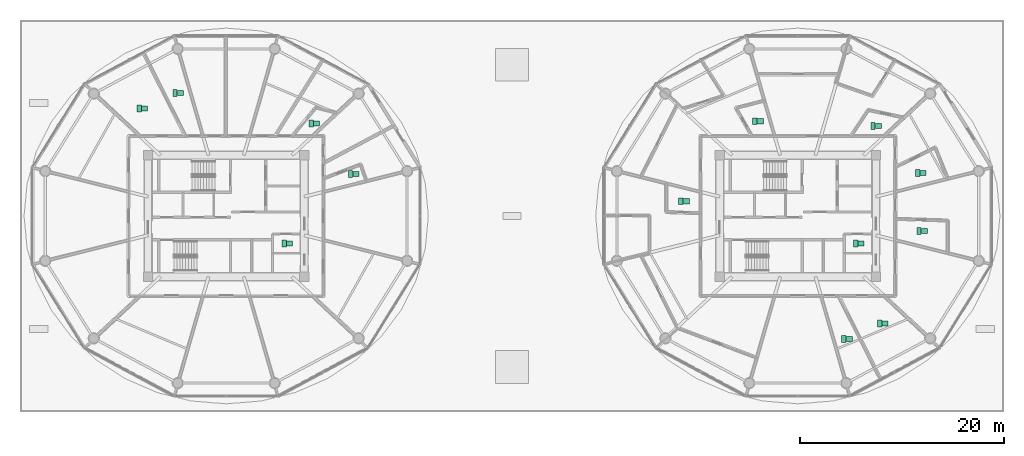
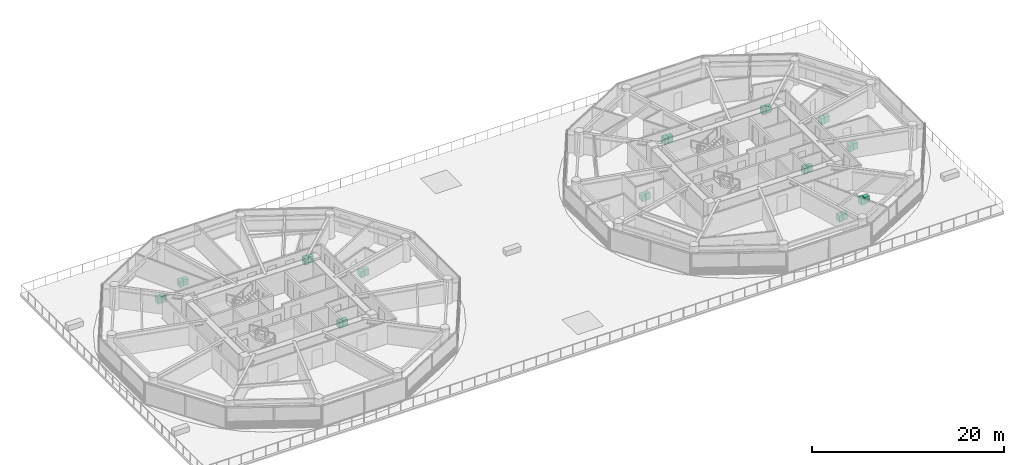
# One storey, part 31 of 32: 26 sanitary terminals.
"""IFC4 building model written with IfcOpenShell, lengths in metres."""

from ifc_helpers import new_model, si_unit, direction, frame, origin, origin_2d, place, context, subcontext, project, spatial, rectangle, extrude, source, transform, mapped, material, type_object, type_shapes, element, save


model = new_model("IFC4")

# Units and contexts
model_context = context("Model", 3, precision=1e-05, world=origin(), true_north=direction((0.0, 1.0)))
body_context = subcontext(model_context, "Body", "Model", "MODEL_VIEW")
ifc_project = project(units=[si_unit("LENGTHUNIT", "METRE"), si_unit("AREAUNIT", "SQUARE_METRE"), si_unit("VOLUMEUNIT", "CUBIC_METRE"), si_unit("PLANEANGLEUNIT", "RADIAN"), si_unit("MASSUNIT", "GRAM", prefix="KILO")], contexts=[model_context])

# Site, building, storey
site_placement = place(None, origin())
site = spatial("IfcSite", under=ifc_project, at=site_placement, CompositionType="ELEMENT")
building_placement = place(site_placement, origin())
building = spatial("IfcBuilding", under=site, at=building_placement, Name="Norrkilde Senior Care Towers", CompositionType="ELEMENT")
storey_placement = place(building_placement, frame((0.0, 0.0, 21.60009765625)))
storey = spatial("IfcBuildingStorey", under=building, at=storey_placement, Name="L05", CompositionType="ELEMENT", Elevation=21.60009765625)

# Sanitary terminals
ifc_material = material(Name="Porcelain Ceramic")
sanitary_terminal_type_1 = type_object("IfcSanitaryTerminalType", Name="Accessible Senior WC Suite", PredefinedType="TOILETPAN", material=ifc_material)
shared_shape_1 = source(origin(), body_context, "Body", "SweptSolid", [
    extrude(rectangle(XDim=0.419921875, YDim=0.679931640625, at=origin_2d()), origin(), (0.0, 0.0, 1.0), 0.780029296875),
])
type_shapes(sanitary_terminal_type_1, [shared_shape_1])
for number, where, z_axis, x_axis, name in (
    (1, (-22.324951171875, -2.715087890625, 0.0), (0.0, 0.0, 1.0), (1.0, 0.0, 0.0), "L05 Accessible WC Pan 0017"),
    (2, (-19.664306640625, 9.068359375, 0.0), (0.0, 0.0, 1.0), (1.0, 0.0, 0.0), "L05 Accessible WC Pan 0018"),
    (3, (-33.01123046875, 12.048583984375, 0.0), (0.0, 0.0, 1.0), (1.0, 0.0, 0.0), "L05 Accessible WC Pan 0019"),
    (4, (-36.527099609375, 10.54150390625, 0.0), (0.0, 0.0, 1.0), (1.0, 0.0, 0.0), "L05 Accessible WC Pan 0020"),
    (5, (-15.811279296875, 4.117431640625, 0.0), (0.0, 0.0, 1.0), (1.0, 0.0, 0.0), "L05 Accessible WC Pan 0021"),
    (6, (33.675048828125, -2.715087890625, 0.0), (0.0, 0.0, 1.0), (1.0, 0.0, 0.0), "L05 Accessible WC Pan 0022"),
    (7, (35.376220703125, 8.82666015625, 0.0), (0.0, 0.0, 1.0), (1.0, 0.0, 0.0), "L05 Accessible WC Pan 0023"),
    (8, (23.794677734375, 9.282470703125, 0.0), (0.0, 0.0, 1.0), (1.0, 0.0, 0.0), "L05 Accessible WC Pan 0024"),
    (9, (16.534912109375, 1.44091796875, 0.0), (0.0, 0.0, 1.0), (1.0, 0.0, 0.0), "L05 Accessible WC Pan 0025"),
    (10, (32.51123046875, -12.048583984375, 0.0), (0.0, 0.0, 1.0), (1.0, 0.0, 0.0), "L05 Accessible WC Pan 0026"),
    (11, (36.027099609375, -10.54150390625, 0.0), (0.0, 0.0, 1.0), (1.0, 0.0, 0.0), "L05 Accessible WC Pan 0027"),
    (12, (39.866455078125, -1.47021484375, 0.0), (0.0, 0.0, 1.0), (1.0, 0.0, 0.0), "L05 Accessible WC Pan 0028"),
    (13, (39.738037109375, 4.225830078125, 0.0), (0.0, 0.0, 1.0), (1.0, 0.0, 0.0), "L05 Accessible WC Pan 0029"),
):
    element("IfcSanitaryTerminal", number, at=place(storey_placement, frame(where, z_axis=z_axis, x_axis=x_axis)), inside=storey, type_object=sanitary_terminal_type_1, Name=name, PredefinedType="TOILETPAN", context=body_context, shape_type="MappedRepresentation", body=[
        mapped(shared_shape_1, transform((0.0, 0.0, 0.0), x_axis=(1.0, 0.0, 0.0), y_axis=(0.0, 1.0, 0.0), z_axis=(0.0, 0.0, 1.0), scale=1.0)),
    ])
sanitary_terminal_type_2 = type_object("IfcSanitaryTerminalType", Name="Thermostatic Care Washbasin", PredefinedType="WASHHANDBASIN", material=ifc_material)
shared_shape_2 = source(origin(), body_context, "Body", "SweptSolid", [
    extrude(rectangle(XDim=0.60009765625, YDim=0.5, at=origin_2d()), origin(), (0.0, 0.0, 1.0), 0.820068359375),
])
type_shapes(sanitary_terminal_type_2, [shared_shape_2])
for number, where, z_axis, x_axis, name in (
    (14, (-21.794921875, -2.715087890625, 0.0), (0.0, 0.0, 1.0), (1.0, 0.0, 0.0), "L05 Accessible Washbasin 0017"),
    (15, (-19.134521484375, 9.068359375, 0.0), (0.0, 0.0, 1.0), (1.0, 0.0, 0.0), "L05 Accessible Washbasin 0018"),
    (16, (-32.481201171875, 12.048583984375, 0.0), (0.0, 0.0, 1.0), (1.0, 0.0, 0.0), "L05 Accessible Washbasin 0019"),
    (17, (-35.9970703125, 10.54150390625, 0.0), (0.0, 0.0, 1.0), (1.0, 0.0, 0.0), "L05 Accessible Washbasin 0020"),
    (18, (-15.28125, 4.117431640625, 0.0), (0.0, 0.0, 1.0), (1.0, 0.0, 0.0), "L05 Accessible Washbasin 0021"),
    (19, (34.205078125, -2.715087890625, 0.0), (0.0, 0.0, 1.0), (1.0, 0.0, 0.0), "L05 Accessible Washbasin 0022"),
    (20, (35.90625, 8.82666015625, 0.0), (0.0, 0.0, 1.0), (1.0, 0.0, 0.0), "L05 Accessible Washbasin 0023"),
    (21, (24.32470703125, 9.282470703125, 0.0), (0.0, 0.0, 1.0), (1.0, 0.0, 0.0), "L05 Accessible Washbasin 0024"),
    (22, (17.06494140625, 1.44091796875, 0.0), (0.0, 0.0, 1.0), (1.0, 0.0, 0.0), "L05 Accessible Washbasin 0025"),
    (23, (33.041259765625, -12.048583984375, 0.0), (0.0, 0.0, 1.0), (1.0, 0.0, 0.0), "L05 Accessible Washbasin 0026"),
    (24, (36.556884765625, -10.54150390625, 0.0), (0.0, 0.0, 1.0), (1.0, 0.0, 0.0), "L05 Accessible Washbasin 0027"),
    (25, (40.396484375, -1.47021484375, 0.0), (0.0, 0.0, 1.0), (1.0, 0.0, 0.0), "L05 Accessible Washbasin 0028"),
    (26, (40.26806640625, 4.225830078125, 0.0), (0.0, 0.0, 1.0), (1.0, 0.0, 0.0), "L05 Accessible Washbasin 0029"),
):
    element("IfcSanitaryTerminal", number, at=place(storey_placement, frame(where, z_axis=z_axis, x_axis=x_axis)), inside=storey, type_object=sanitary_terminal_type_2, Name=name, PredefinedType="WASHHANDBASIN", context=body_context, shape_type="MappedRepresentation", body=[
        mapped(shared_shape_2, transform((0.0, 0.0, 0.0), x_axis=(1.0, 0.0, 0.0), y_axis=(0.0, 1.0, 0.0), z_axis=(0.0, 0.0, 1.0), scale=1.0)),
    ])

save(model, "model.ifc")
